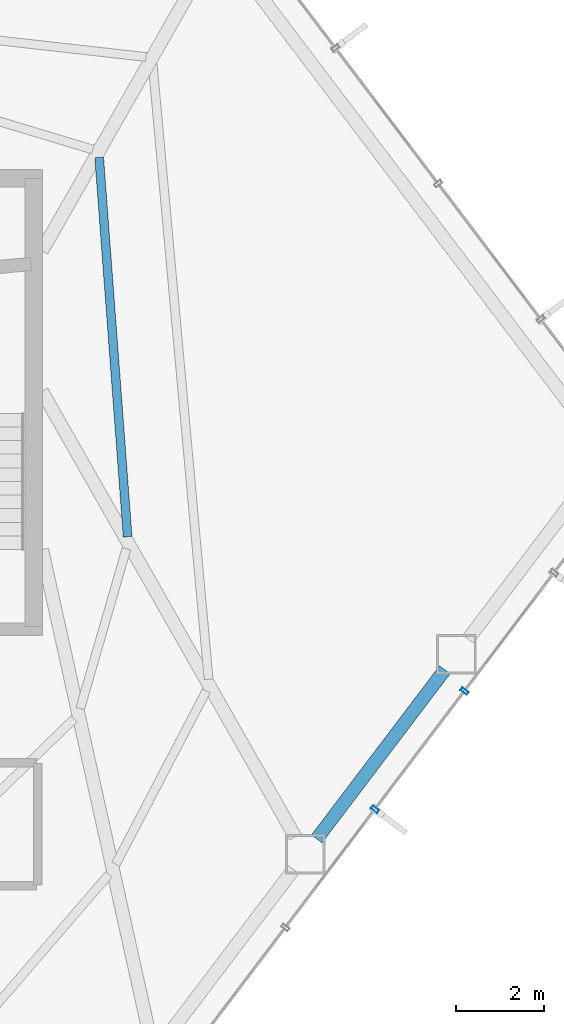
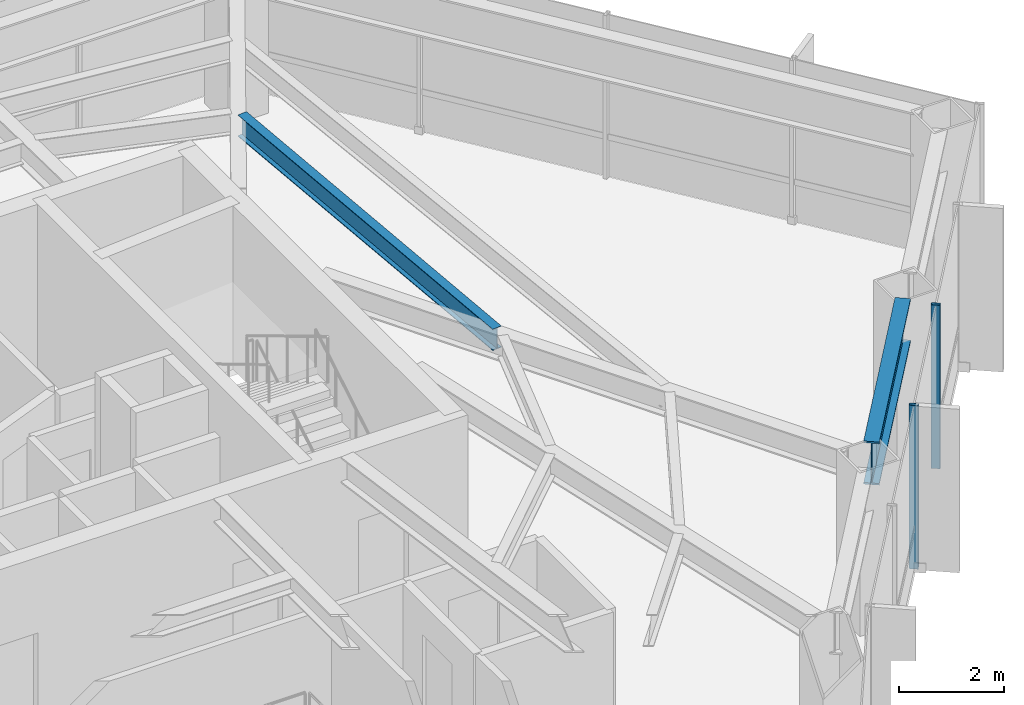
# One storey, part 16 of 24: 2 beams, 2 members, 1 element without a shape of its own.
"""IFC4 building model written with IfcOpenShell, lengths in metres."""

from ifc_helpers import new_model, si_unit, direction, frame, origin, origin_2d, place, context, subcontext, project, spatial, hollow_rectangle, i_section, extrude, material, layer, layer_set, material_profile, profile_set, type_object, element, aggregate, save


model = new_model("IFC4")

# Units and contexts
model_context = context("Model", 3, precision=1e-05, world=origin(), true_north=direction((0.0, 1.0)))
body_context = subcontext(model_context, "Body", "Model", "MODEL_VIEW")
ifc_project = project(units=[si_unit("LENGTHUNIT", "METRE"), si_unit("AREAUNIT", "SQUARE_METRE"), si_unit("VOLUMEUNIT", "CUBIC_METRE"), si_unit("PLANEANGLEUNIT", "RADIAN"), si_unit("MASSUNIT", "GRAM", prefix="KILO")], contexts=[model_context])

# Site, building, storey
site_placement = place(None, origin())
site = spatial("IfcSite", under=ifc_project, at=site_placement, CompositionType="ELEMENT")
building_placement = place(site_placement, origin())
building = spatial("IfcBuilding", under=site, at=building_placement, Name="Zarrinselat Tower", CompositionType="ELEMENT")
storey_placement = place(building_placement, frame((0.0, 0.0, 96.89990234375)))
storey = spatial("IfcBuildingStorey", under=building, at=storey_placement, Name="L23", CompositionType="ELEMENT", Elevation=96.89990234375)

# Beams
ifc_material_1 = material(Name="Steel S460M", Category="steel")
ifc_material_profile_1 = material_profile(ifc_material_1, i_section(OverallWidth=0.302001953125, OverallDepth=1.008056640625, WebThickness=0.02099609375, FlangeThickness=0.0400390625, at=origin_2d()), Name="HEM 1000")
ifc_profile_set_1 = profile_set([ifc_material_profile_1], Name="Steel S460M")
beam_type_1 = type_object("IfcBeamType", Name="BM-HEM1000", PredefinedType="BEAM", material=ifc_profile_set_1)
beam_1_placement = place(storey_placement, frame((54.70361328125, 28.4169921875, 3.316162109375), z_axis=(0.60382847745, 0.797114276513, 0.0), x_axis=(-0.797114276513, 0.60382847745, 0.0)))
element("IfcBeam", 1, at=beam_1_placement, inside=storey, type_object=beam_type_1, Name="L23 Perimeter Spandrel Girder SP13", PredefinedType="BEAM", context=body_context, shape_type="SweptSolid", body=[
    extrude(i_section(OverallWidth=0.302001953125, OverallDepth=1.008056640625, WebThickness=0.02099609375, FlangeThickness=0.0400390625, at=origin_2d()), origin(), (0.0, 0.0, 1.0), 4.82763671875),
])
ifc_material_2 = material(Name="Steel S355J2", Category="steel")
ifc_material_profile_2 = material_profile(ifc_material_2, i_section(OverallWidth=0.199951171875, OverallDepth=0.5, WebThickness=0.01025390625, FlangeThickness=0.01611328125, at=origin_2d()), Name="IPE 500")
ifc_profile_set_2 = profile_set([ifc_material_profile_2], Name="Steel S355J2")
beam_type_2 = type_object("IfcBeamType", Name="BM-IPE500", PredefinedType="JOIST", material=ifc_profile_set_2)
beam_2_placement = place(storey_placement, frame((49.751708984375, 43.923828125, 3.570068359375), z_axis=(0.074884607741, -0.997192205908, 0.0), x_axis=(0.997192205908, 0.074884607741, 0.0)))
element("IfcBeam", 2, at=beam_2_placement, inside=storey, type_object=beam_type_2, Name="L23 Composite Floor Joist 5-2", PredefinedType="JOIST", context=body_context, shape_type="SweptSolid", body=[
    extrude(i_section(OverallWidth=0.199951171875, OverallDepth=0.5, WebThickness=0.01025390625, FlangeThickness=0.01611328125, at=origin_2d()), origin(), (0.0, 0.0, 1.0), 8.656005859375),
])

# Curtain wall, members
ifc_material_3 = material(Name="Extruded Aluminium Alloy EN AW-6063 T6", Category="aluminium")
ifc_layer = layer(ifc_material_3, 0.18505859375)
ifc_layer_set = layer_set([ifc_layer], Name="Extruded Aluminium Alloy EN AW-6063 T6")
curtain_wall_type = type_object("IfcCurtainWallType", Name="CWS-OFF", PredefinedType="NOTDEFINED", material=ifc_layer_set)
curtain_wall_placement = place(storey_placement, origin())
curtain_wall = element("IfcCurtainWall", 3, at=curtain_wall_placement, inside=storey, type_object=curtain_wall_type, Name="L23 Unitised Curtain Wall CW-L23-E05", PredefinedType="NOTDEFINED")
ifc_material_4 = material(Name="Extruded Aluminium Alloy EN AW-6063 T6", Category="aluminium")
ifc_material_profile_3 = material_profile(ifc_material_4, hollow_rectangle(XDim=0.080078125, YDim=0.179931640625, WallThickness=0.0048828125, at=origin_2d()), Name="RHS 180x80x5")
ifc_profile_set_3 = profile_set([ifc_material_profile_3], Name="Extruded Aluminium Alloy EN AW-6063 T6")
member_type = type_object("IfcMemberType", Name="MEM-CW-MUL", PredefinedType="MULLION", material=ifc_profile_set_3)
member_1_placement = place(storey_placement, frame((56.027587890625, 29.08837890625, 0.0), z_axis=(0.0, 0.0, 1.0), x_axis=(0.603858013909, 0.79709190125, 0.0)))
member_1 = element("IfcMember", 4, at=member_1_placement, type_object=member_type, Name="CW-L23-E05 Mullion 5", PredefinedType="MULLION", context=body_context, shape_type="SweptSolid", body=[
    extrude(hollow_rectangle(XDim=0.080078125, YDim=0.179931640625, WallThickness=0.0048828125, at=origin_2d()), origin(), (0.0, 0.0, 1.0), 3.820068359375),
])
member_2_placement = place(storey_placement, frame((58.06591796875, 31.779052734375, 0.0), z_axis=(0.0, 0.0, 1.0), x_axis=(0.603858013909, 0.79709190125, 0.0)))
member_2 = element("IfcMember", 5, at=member_2_placement, type_object=member_type, Name="CW-L23-E05 Mullion 6", PredefinedType="MULLION", context=body_context, shape_type="SweptSolid", body=[
    extrude(hollow_rectangle(XDim=0.080078125, YDim=0.179931640625, WallThickness=0.0048828125, at=origin_2d()), origin(), (0.0, 0.0, 1.0), 3.820068359375),
])
aggregate(curtain_wall, [member_1, member_2])

save(model, "model.ifc")
